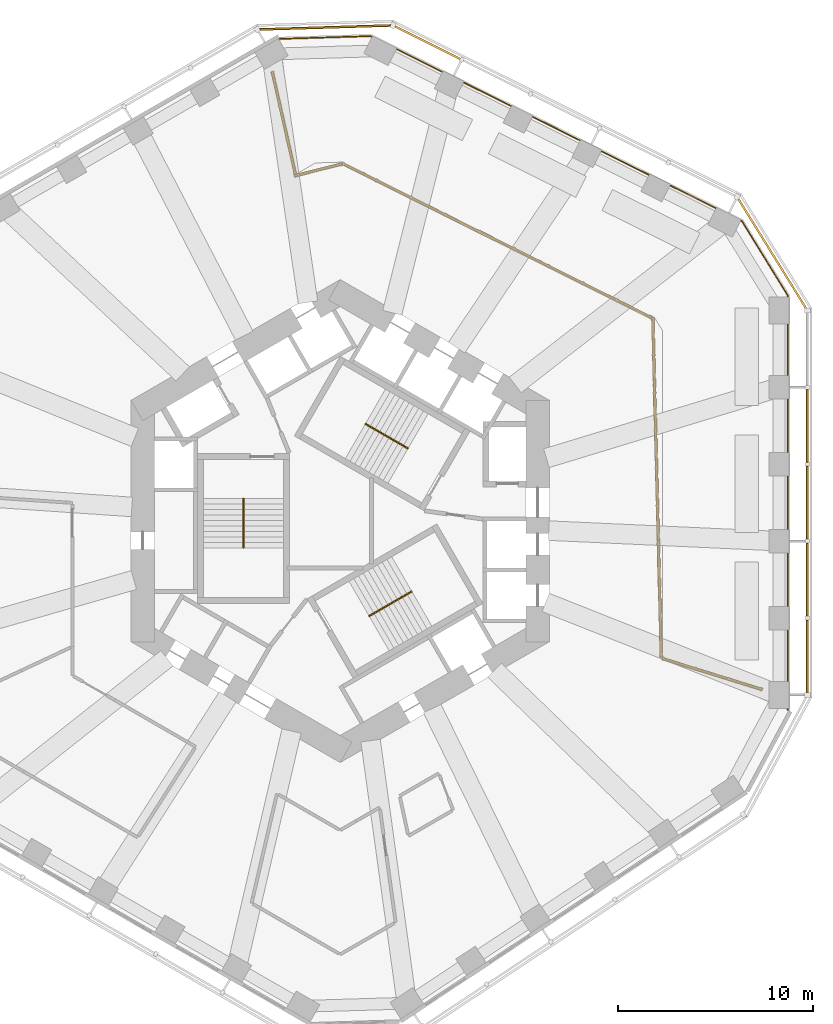
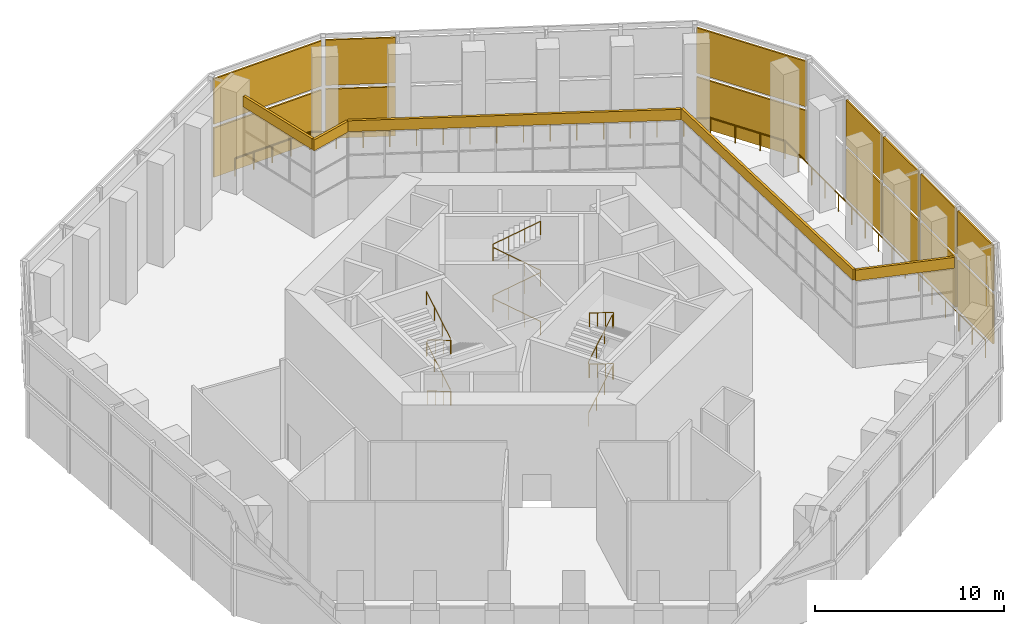
# One storey, part 15 of 17: 14 shading devices, 5 coverings, 4 railings.
"""IFC4 building model written with IfcOpenShell, lengths in metres."""

from ifc_helpers import new_model, si_unit, direction, frame, origin, origin_2d, place, context, subcontext, project, spatial, rectangle, circle, extrude, material, layer, layer_set, type_object, element, save


model = new_model("IFC4")

# Units and contexts
model_context = context("Model", 3, precision=1e-05, world=origin(), true_north=direction((0.0, 1.0)))
body_context = subcontext(model_context, "Body", "Model", "MODEL_VIEW")
ifc_project = project(units=[si_unit("LENGTHUNIT", "METRE"), si_unit("AREAUNIT", "SQUARE_METRE"), si_unit("VOLUMEUNIT", "CUBIC_METRE"), si_unit("PLANEANGLEUNIT", "RADIAN"), si_unit("MASSUNIT", "GRAM", prefix="KILO")], contexts=[model_context])

# Site, building, storey
site_placement = place(None, origin())
site = spatial("IfcSite", under=ifc_project, at=site_placement, CompositionType="ELEMENT")
building_placement = place(site_placement, origin())
building = spatial("IfcBuilding", under=site, at=building_placement, Name="Vanh Sen Convention Tower", CompositionType="ELEMENT")
storey_placement = place(building_placement, frame((0.0, 0.0, 77.0)))
storey = spatial("IfcBuildingStorey", under=building, at=storey_placement, Name="L17", CompositionType="ELEMENT", Elevation=77.0)

# Railings
ifc_material_1 = material(Name="Stainless steel posts with toughened glass infill", Category="steel")
railing_type_1 = type_object("IfcRailingType", Name="Garden guard 1150", PredefinedType="GUARDRAIL", material=ifc_material_1)
railing_1_placement = place(storey_placement, frame((22.89990234375, -9.656982421875, 0.0)))
element("IfcRailing", 1, at=railing_1_placement, inside=storey, type_object=railing_type_1, Name="Sky garden guard 1 L17", PredefinedType="GUARDRAIL", context=body_context, shape_type="SweptSolid", body=[
    extrude(circle(Radius=0.02392578125, at=origin_2d()), frame((0.0, 0.0, 1.1259765625), z_axis=(0.0, 1.0, 0.0), x_axis=(-1.0, 0.0, 0.0)), (0.0, 0.0, 1.0), 21.202392578125),
    extrude(circle(Radius=0.02392578125, at=origin_2d()), frame((0.0, 21.202392578125, 1.1259765625), z_axis=(-0.526194612966, 0.850364174507, 0.0), x_axis=(-0.850364174507, -0.526194612966, 0.0)), (0.0, 0.0, 1.0), 4.46533203125),
    extrude(circle(Radius=0.02392578125, at=origin_2d()), frame((-2.349609375, 24.99951171875, 1.1259765625), z_axis=(-0.894935157433, 0.446196216916, 0.0), x_axis=(-0.446196216916, -0.894935157433, 0.0)), (0.0, 0.0, 1.0), 21.219482421875),
    extrude(circle(Radius=0.02392578125, at=origin_2d()), frame((-21.339599609375, 34.467529296875, 1.1259765625), z_axis=(-0.999533121396, -0.030553874271, 0.0), x_axis=(0.030553874271, -0.999533121396, 0.0)), (0.0, 0.0, 1.0), 4.634521484375),
    extrude(circle(Radius=0.02392578125, at=origin_2d()), frame((-25.971923828125, 34.325927734375, 1.1259765625), z_axis=(-0.863778900898, -0.503871025524, 0.0), x_axis=(0.503871025524, -0.863778900898, 0.0)), (0.0, 0.0, 1.0), 0.016845703125),
    extrude(circle(Radius=0.02099609375, at=origin_2d()), origin(), (0.0, 0.0, 1.0), 1.101806640625),
    extrude(circle(Radius=0.02099609375, at=origin_2d()), frame((0.0, 1.41357421875, 0.0)), (0.0, 0.0, 1.0), 1.101806640625),
    extrude(circle(Radius=0.02099609375, at=origin_2d()), frame((0.0, 2.826904296875, 0.0)), (0.0, 0.0, 1.0), 1.101806640625),
    extrude(circle(Radius=0.02099609375, at=origin_2d()), frame((0.0, 4.240478515625, 0.0)), (0.0, 0.0, 1.0), 1.101806640625),
    extrude(circle(Radius=0.02099609375, at=origin_2d()), frame((0.0, 5.654052734375, 0.0)), (0.0, 0.0, 1.0), 1.101806640625),
    extrude(circle(Radius=0.02099609375, at=origin_2d()), frame((0.0, 7.0673828125, 0.0)), (0.0, 0.0, 1.0), 1.101806640625),
    extrude(circle(Radius=0.02099609375, at=origin_2d()), frame((0.0, 8.48095703125, 0.0)), (0.0, 0.0, 1.0), 1.101806640625),
    extrude(circle(Radius=0.02099609375, at=origin_2d()), frame((0.0, 9.89453125, 0.0)), (0.0, 0.0, 1.0), 1.101806640625),
    extrude(circle(Radius=0.02099609375, at=origin_2d()), frame((0.0, 11.307861328125, 0.0)), (0.0, 0.0, 1.0), 1.101806640625),
    extrude(circle(Radius=0.02099609375, at=origin_2d()), frame((0.0, 12.721435546875, 0.0)), (0.0, 0.0, 1.0), 1.101806640625),
    extrude(circle(Radius=0.02099609375, at=origin_2d()), frame((0.0, 14.135009765625, 0.0)), (0.0, 0.0, 1.0), 1.101806640625),
    extrude(circle(Radius=0.02099609375, at=origin_2d()), frame((0.0, 15.54833984375, 0.0)), (0.0, 0.0, 1.0), 1.101806640625),
    extrude(circle(Radius=0.02099609375, at=origin_2d()), frame((0.0, 16.9619140625, 0.0)), (0.0, 0.0, 1.0), 1.101806640625),
    extrude(circle(Radius=0.02099609375, at=origin_2d()), frame((0.0, 18.37548828125, 0.0)), (0.0, 0.0, 1.0), 1.101806640625),
    extrude(circle(Radius=0.02099609375, at=origin_2d()), frame((0.0, 19.788818359375, 0.0)), (0.0, 0.0, 1.0), 1.101806640625),
    extrude(circle(Radius=0.02099609375, at=origin_2d()), frame((0.0, 21.202392578125, 0.0)), (0.0, 0.0, 1.0), 1.101806640625),
    extrude(circle(Radius=0.02099609375, at=origin_2d()), frame((-0.783203125, 22.468017578125, 0.0)), (0.0, 0.0, 1.0), 1.101806640625),
    extrude(circle(Radius=0.02099609375, at=origin_2d()), frame((-1.56640625, 23.73388671875, 0.0)), (0.0, 0.0, 1.0), 1.101806640625),
    extrude(circle(Radius=0.02099609375, at=origin_2d()), frame((-2.349609375, 24.99951171875, 0.0)), (0.0, 0.0, 1.0), 1.101806640625),
    extrude(circle(Radius=0.02099609375, at=origin_2d()), frame((-3.61572265625, 25.630615234375, 0.0)), (0.0, 0.0, 1.0), 1.101806640625),
    extrude(circle(Radius=0.02099609375, at=origin_2d()), frame((-4.881591796875, 26.261962890625, 0.0)), (0.0, 0.0, 1.0), 1.101806640625),
    extrude(circle(Radius=0.02099609375, at=origin_2d()), frame((-6.147705078125, 26.89306640625, 0.0)), (0.0, 0.0, 1.0), 1.101806640625),
    extrude(circle(Radius=0.02099609375, at=origin_2d()), frame((-7.41357421875, 27.5244140625, 0.0)), (0.0, 0.0, 1.0), 1.101806640625),
    extrude(circle(Radius=0.02099609375, at=origin_2d()), frame((-8.6796875, 28.155517578125, 0.0)), (0.0, 0.0, 1.0), 1.101806640625),
    extrude(circle(Radius=0.02099609375, at=origin_2d()), frame((-9.945556640625, 28.78662109375, 0.0)), (0.0, 0.0, 1.0), 1.101806640625),
    extrude(circle(Radius=0.02099609375, at=origin_2d()), frame((-11.211669921875, 29.41796875, 0.0)), (0.0, 0.0, 1.0), 1.101806640625),
    extrude(circle(Radius=0.02099609375, at=origin_2d()), frame((-12.4775390625, 30.049072265625, 0.0)), (0.0, 0.0, 1.0), 1.101806640625),
    extrude(circle(Radius=0.02099609375, at=origin_2d()), frame((-13.74365234375, 30.680419921875, 0.0)), (0.0, 0.0, 1.0), 1.101806640625),
    extrude(circle(Radius=0.02099609375, at=origin_2d()), frame((-15.009521484375, 31.3115234375, 0.0)), (0.0, 0.0, 1.0), 1.101806640625),
    extrude(circle(Radius=0.02099609375, at=origin_2d()), frame((-16.275634765625, 31.942626953125, 0.0)), (0.0, 0.0, 1.0), 1.101806640625),
    extrude(circle(Radius=0.02099609375, at=origin_2d()), frame((-17.54150390625, 32.573974609375, 0.0)), (0.0, 0.0, 1.0), 1.101806640625),
    extrude(circle(Radius=0.02099609375, at=origin_2d()), frame((-18.8076171875, 33.205078125, 0.0)), (0.0, 0.0, 1.0), 1.101806640625),
    extrude(circle(Radius=0.02099609375, at=origin_2d()), frame((-20.073486328125, 33.83642578125, 0.0)), (0.0, 0.0, 1.0), 1.101806640625),
    extrude(circle(Radius=0.02099609375, at=origin_2d()), frame((-21.339599609375, 34.467529296875, 0.0)), (0.0, 0.0, 1.0), 1.101806640625),
    extrude(circle(Radius=0.02099609375, at=origin_2d()), frame((-22.49755859375, 34.43212890625, 0.0)), (0.0, 0.0, 1.0), 1.101806640625),
    extrude(circle(Radius=0.02099609375, at=origin_2d()), frame((-23.65576171875, 34.396728515625, 0.0)), (0.0, 0.0, 1.0), 1.101806640625),
    extrude(circle(Radius=0.02099609375, at=origin_2d()), frame((-24.81396484375, 34.361328125, 0.0)), (0.0, 0.0, 1.0), 1.101806640625),
    extrude(circle(Radius=0.02099609375, at=origin_2d()), frame((-25.971923828125, 34.325927734375, 0.0)), (0.0, 0.0, 1.0), 1.101806640625),
    extrude(circle(Radius=0.02099609375, at=origin_2d()), frame((-25.986572265625, 34.3173828125, 0.0)), (0.0, 0.0, 1.0), 1.101806640625),
])
ifc_material_2 = material(Name="Stainless steel handrail", Category="steel")
railing_type_2 = type_object("IfcRailingType", Name="Stair handrail 900", PredefinedType="HANDRAIL", material=ifc_material_2)
railing_2_placement = place(storey_placement, frame((3.45849609375, 3.690185546875, 0.1650390625)))
element("IfcRailing", 2, at=railing_2_placement, inside=storey, type_object=railing_type_2, Name="Stair handrail ST1 L17", PredefinedType="HANDRAIL", context=body_context, shape_type="SweptSolid", body=[
    extrude(circle(Radius=0.02392578125, at=origin_2d()), frame((0.0, 0.0, 0.8759765625), z_axis=(-0.746166161147, 0.430756550076, 0.507626688154), x_axis=(-0.499962843328, -0.866046855136, 0.0)), (0.0, 0.0, 1.0), 2.925048828125),
    extrude(circle(Radius=0.02392578125, at=origin_2d()), frame((-2.1826171875, 1.260009765625, 2.36083984375), z_axis=(0.502959906984, 0.86430974307, 0.0), x_axis=(-0.86430974307, 0.502959906984, 0.0)), (0.0, 0.0, 1.0), 0.050048828125),
    extrude(circle(Radius=0.02392578125, at=origin_2d()), frame((-2.157470703125, 1.30322265625, 2.36083984375), z_axis=(0.0, 0.0, 1.0), x_axis=(1.0, 0.0, 0.0)), (0.0, 0.0, 1.0), 0.1650390625),
    extrude(circle(Radius=0.02392578125, at=origin_2d()), frame((-2.157470703125, 1.30322265625, 2.52587890625), z_axis=(0.746097546679, -0.430765123438, 0.507720256902), x_axis=(0.500004791531, 0.866022637375, 0.0)), (0.0, 0.0, 1.0), 2.925048828125),
    extrude(circle(Radius=0.02392578125, at=origin_2d()), frame((0.02490234375, 0.043212890625, 4.0107421875), z_axis=(-0.499298623879, -0.866429964967, 0.0), x_axis=(0.866429964967, -0.499298623879, 0.0)), (0.0, 0.0, 1.0), 0.0498046875),
    extrude(circle(Radius=0.02392578125, at=origin_2d()), frame((0.0, 0.0, 4.0107421875), z_axis=(0.0, 0.0, 1.0), x_axis=(1.0, 0.0, 0.0)), (0.0, 0.0, 1.0), 0.1650390625),
    extrude(circle(Radius=0.02392578125, at=origin_2d()), frame((0.0, 0.0, 4.17578125), z_axis=(-0.746166161147, 0.430756550076, 0.507626688154), x_axis=(-0.499962843328, -0.866046855136, 0.0)), (0.0, 0.0, 1.0), 2.925048828125),
    extrude(circle(Radius=0.02392578125, at=origin_2d()), frame((-2.1826171875, 1.260009765625, 5.66064453125), z_axis=(0.502959906984, 0.86430974307, 0.0), x_axis=(-0.86430974307, 0.502959906984, 0.0)), (0.0, 0.0, 1.0), 0.050048828125),
    extrude(circle(Radius=0.02392578125, at=origin_2d()), frame((-2.157470703125, 1.30322265625, 5.66064453125), z_axis=(0.0, 0.0, 1.0), x_axis=(1.0, 0.0, 0.0)), (0.0, 0.0, 1.0), 0.1650390625),
    extrude(circle(Radius=0.02392578125, at=origin_2d()), frame((-2.157470703125, 1.30322265625, 5.82568359375), z_axis=(0.746097546679, -0.430765123438, 0.507720256902), x_axis=(0.500004791531, 0.866022637375, 0.0)), (0.0, 0.0, 1.0), 2.925048828125),
    extrude(circle(Radius=0.02099609375, at=origin_2d()), origin(), (0.0, 0.0, 1.0), 0.851806640625),
    extrude(circle(Radius=0.02099609375, at=origin_2d()), frame((-0.7275390625, 0.419921875, 0.494873046875)), (0.0, 0.0, 1.0), 0.851806640625),
    extrude(circle(Radius=0.02099609375, at=origin_2d()), frame((-1.455078125, 0.840087890625, 0.989990234375)), (0.0, 0.0, 1.0), 0.851806640625),
    extrude(circle(Radius=0.02099609375, at=origin_2d()), frame((-2.1826171875, 1.260009765625, 1.48486328125)), (0.0, 0.0, 1.0), 0.851806640625),
    extrude(circle(Radius=0.02099609375, at=origin_2d()), frame((-2.157470703125, 1.30322265625, 1.48486328125)), (0.0, 0.0, 1.0), 0.851806640625),
    extrude(circle(Radius=0.02099609375, at=origin_2d()), frame((-2.157470703125, 1.30322265625, 1.64990234375)), (0.0, 0.0, 1.0), 0.851806640625),
    extrude(circle(Radius=0.02099609375, at=origin_2d()), frame((-1.429931640625, 0.88330078125, 2.14501953125)), (0.0, 0.0, 1.0), 0.851806640625),
    extrude(circle(Radius=0.02099609375, at=origin_2d()), frame((-0.70263671875, 0.463134765625, 2.639892578125)), (0.0, 0.0, 1.0), 0.851806640625),
    extrude(circle(Radius=0.02099609375, at=origin_2d()), frame((0.02490234375, 0.043212890625, 3.135009765625)), (0.0, 0.0, 1.0), 0.851806640625),
    extrude(circle(Radius=0.02099609375, at=origin_2d()), frame((0.0, 0.0, 3.135009765625)), (0.0, 0.0, 1.0), 0.851806640625),
    extrude(circle(Radius=0.02099609375, at=origin_2d()), frame((0.0, 0.0, 3.300048828125)), (0.0, 0.0, 1.0), 0.851806640625),
    extrude(circle(Radius=0.02099609375, at=origin_2d()), frame((-0.7275390625, 0.419921875, 3.794921875)), (0.0, 0.0, 1.0), 0.851806640625),
    extrude(circle(Radius=0.02099609375, at=origin_2d()), frame((-1.455078125, 0.840087890625, 4.2900390625)), (0.0, 0.0, 1.0), 0.851806640625),
    extrude(circle(Radius=0.02099609375, at=origin_2d()), frame((-2.1826171875, 1.260009765625, 4.784912109375)), (0.0, 0.0, 1.0), 0.851806640625),
    extrude(circle(Radius=0.02099609375, at=origin_2d()), frame((-2.157470703125, 1.30322265625, 4.784912109375)), (0.0, 0.0, 1.0), 0.851806640625),
    extrude(circle(Radius=0.02099609375, at=origin_2d()), frame((-2.157470703125, 1.30322265625, 4.949951171875)), (0.0, 0.0, 1.0), 0.851806640625),
    extrude(circle(Radius=0.02099609375, at=origin_2d()), frame((-1.429931640625, 0.88330078125, 5.445068359375)), (0.0, 0.0, 1.0), 0.851806640625),
    extrude(circle(Radius=0.02099609375, at=origin_2d()), frame((-0.70263671875, 0.463134765625, 5.93994140625)), (0.0, 0.0, 1.0), 0.851806640625),
    extrude(circle(Radius=0.02099609375, at=origin_2d()), frame((0.02490234375, 0.043212890625, 6.43505859375)), (0.0, 0.0, 1.0), 0.851806640625),
])
railing_3_placement = place(storey_placement, frame((-4.925048828125, 1.14990234375, 0.1650390625)))
element("IfcRailing", 3, at=railing_3_placement, inside=storey, type_object=railing_type_2, Name="Stair handrail ST2 L17", PredefinedType="HANDRAIL", context=body_context, shape_type="SweptSolid", body=[
    extrude(circle(Radius=0.02392578125, at=origin_2d()), frame((0.0, 0.0, 0.8759765625), z_axis=(0.0, -0.861560626758, 0.507654692109), x_axis=(1.0, 0.0, 0.0)), (0.0, 0.0, 1.0), 2.925048828125),
    extrude(circle(Radius=0.02392578125, at=origin_2d()), frame((0.0, -2.52001953125, 2.36083984375), z_axis=(-1.0, 0.0, 0.0), x_axis=(0.0, -1.0, 0.0)), (0.0, 0.0, 1.0), 0.050048828125),
    extrude(circle(Radius=0.02392578125, at=origin_2d()), frame((-0.050048828125, -2.52001953125, 2.36083984375), z_axis=(0.0, 0.0, 1.0), x_axis=(1.0, 0.0, 0.0)), (0.0, 0.0, 1.0), 0.1650390625),
    extrude(circle(Radius=0.02392578125, at=origin_2d()), frame((-0.050048828125, -2.52001953125, 2.52587890625), z_axis=(0.0, 0.86152411907, 0.507716645641), x_axis=(-1.0, 0.0, 0.0)), (0.0, 0.0, 1.0), 2.925048828125),
    extrude(circle(Radius=0.02392578125, at=origin_2d()), frame((-0.050048828125, 0.0, 4.0107421875), z_axis=(1.0, 0.0, 0.0), x_axis=(0.0, 1.0, 0.0)), (0.0, 0.0, 1.0), 0.050048828125),
    extrude(circle(Radius=0.02392578125, at=origin_2d()), frame((0.0, 0.0, 4.0107421875), z_axis=(0.0, 0.0, 1.0), x_axis=(1.0, 0.0, 0.0)), (0.0, 0.0, 1.0), 0.1650390625),
    extrude(circle(Radius=0.02392578125, at=origin_2d()), frame((0.0, 0.0, 4.17578125), z_axis=(0.0, -0.861560626758, 0.507654692109), x_axis=(1.0, 0.0, 0.0)), (0.0, 0.0, 1.0), 2.925048828125),
    extrude(circle(Radius=0.02392578125, at=origin_2d()), frame((0.0, -2.52001953125, 5.66064453125), z_axis=(-1.0, 0.0, 0.0), x_axis=(0.0, -1.0, 0.0)), (0.0, 0.0, 1.0), 0.050048828125),
    extrude(circle(Radius=0.02392578125, at=origin_2d()), frame((-0.050048828125, -2.52001953125, 5.66064453125), z_axis=(0.0, 0.0, 1.0), x_axis=(1.0, 0.0, 0.0)), (0.0, 0.0, 1.0), 0.1650390625),
    extrude(circle(Radius=0.02392578125, at=origin_2d()), frame((-0.050048828125, -2.52001953125, 5.82568359375), z_axis=(0.0, 0.86152411907, 0.507716645641), x_axis=(-1.0, 0.0, 0.0)), (0.0, 0.0, 1.0), 2.925048828125),
    extrude(circle(Radius=0.02099609375, at=origin_2d()), origin(), (0.0, 0.0, 1.0), 0.851806640625),
    extrude(circle(Radius=0.02099609375, at=origin_2d()), frame((0.0, -0.840087890625, 0.494873046875)), (0.0, 0.0, 1.0), 0.851806640625),
    extrude(circle(Radius=0.02099609375, at=origin_2d()), frame((0.0, -1.679931640625, 0.989990234375)), (0.0, 0.0, 1.0), 0.851806640625),
    extrude(circle(Radius=0.02099609375, at=origin_2d()), frame((0.0, -2.52001953125, 1.48486328125)), (0.0, 0.0, 1.0), 0.851806640625),
    extrude(circle(Radius=0.02099609375, at=origin_2d()), frame((-0.050048828125, -2.52001953125, 1.48486328125)), (0.0, 0.0, 1.0), 0.851806640625),
    extrude(circle(Radius=0.02099609375, at=origin_2d()), frame((-0.050048828125, -2.52001953125, 1.64990234375)), (0.0, 0.0, 1.0), 0.851806640625),
    extrude(circle(Radius=0.02099609375, at=origin_2d()), frame((-0.050048828125, -1.679931640625, 2.14501953125)), (0.0, 0.0, 1.0), 0.851806640625),
    extrude(circle(Radius=0.02099609375, at=origin_2d()), frame((-0.050048828125, -0.840087890625, 2.639892578125)), (0.0, 0.0, 1.0), 0.851806640625),
    extrude(circle(Radius=0.02099609375, at=origin_2d()), frame((-0.050048828125, 0.0, 3.135009765625)), (0.0, 0.0, 1.0), 0.851806640625),
    extrude(circle(Radius=0.02099609375, at=origin_2d()), frame((0.0, 0.0, 3.135009765625)), (0.0, 0.0, 1.0), 0.851806640625),
    extrude(circle(Radius=0.02099609375, at=origin_2d()), frame((0.0, 0.0, 3.300048828125)), (0.0, 0.0, 1.0), 0.851806640625),
    extrude(circle(Radius=0.02099609375, at=origin_2d()), frame((0.0, -0.840087890625, 3.794921875)), (0.0, 0.0, 1.0), 0.851806640625),
    extrude(circle(Radius=0.02099609375, at=origin_2d()), frame((0.0, -1.679931640625, 4.2900390625)), (0.0, 0.0, 1.0), 0.851806640625),
    extrude(circle(Radius=0.02099609375, at=origin_2d()), frame((0.0, -2.52001953125, 4.784912109375)), (0.0, 0.0, 1.0), 0.851806640625),
    extrude(circle(Radius=0.02099609375, at=origin_2d()), frame((-0.050048828125, -2.52001953125, 4.784912109375)), (0.0, 0.0, 1.0), 0.851806640625),
    extrude(circle(Radius=0.02099609375, at=origin_2d()), frame((-0.050048828125, -2.52001953125, 4.949951171875)), (0.0, 0.0, 1.0), 0.851806640625),
    extrude(circle(Radius=0.02099609375, at=origin_2d()), frame((-0.050048828125, -1.679931640625, 5.445068359375)), (0.0, 0.0, 1.0), 0.851806640625),
    extrude(circle(Radius=0.02099609375, at=origin_2d()), frame((-0.050048828125, -0.840087890625, 5.93994140625)), (0.0, 0.0, 1.0), 0.851806640625),
    extrude(circle(Radius=0.02099609375, at=origin_2d()), frame((-0.050048828125, 0.0, 6.43505859375)), (0.0, 0.0, 1.0), 0.851806640625),
])
railing_4_placement = place(storey_placement, frame((1.466552734375, -4.840087890625, 0.1650390625)))
element("IfcRailing", 4, at=railing_4_placement, inside=storey, type_object=railing_type_2, Name="Stair handrail ST3 L17", PredefinedType="HANDRAIL", context=body_context, shape_type="SweptSolid", body=[
    extrude(circle(Radius=0.02392578125, at=origin_2d()), frame((0.0, 0.0, 0.8759765625), z_axis=(0.746129163535, 0.430783377672, 0.507658303235), x_axis=(-0.500004791531, 0.866022637375, 0.0)), (0.0, 0.0, 1.0), 2.9248046875),
    extrude(circle(Radius=0.02392578125, at=origin_2d()), frame((2.182373046875, 1.260009765625, 2.36083984375), z_axis=(0.500844580232, -0.86553723574, 0.0), x_axis=(0.86553723574, 0.500844580232, 0.0)), (0.0, 0.0, 1.0), 0.05029296875),
    extrude(circle(Radius=0.02392578125, at=origin_2d()), frame((2.20751953125, 1.216552734375, 2.36083984375), z_axis=(0.0, 0.0, 1.0), x_axis=(1.0, 0.0, 0.0)), (0.0, 0.0, 1.0), 0.1650390625),
    extrude(circle(Radius=0.02392578125, at=origin_2d()), frame((2.20751953125, 1.216552734375, 2.52587890625), z_axis=(-0.746097546679, -0.430765123438, 0.507720256902), x_axis=(0.500004791531, -0.866022637375, 0.0)), (0.0, 0.0, 1.0), 2.925048828125),
    extrude(circle(Radius=0.02392578125, at=origin_2d()), frame((0.025146484375, -0.04345703125, 4.0107421875), z_axis=(-0.500844580232, 0.86553723574, 0.0), x_axis=(-0.86553723574, -0.500844580232, 0.0)), (0.0, 0.0, 1.0), 0.05029296875),
    extrude(circle(Radius=0.02392578125, at=origin_2d()), frame((0.0, 0.0, 4.0107421875), z_axis=(0.0, 0.0, 1.0), x_axis=(1.0, 0.0, 0.0)), (0.0, 0.0, 1.0), 0.1650390625),
    extrude(circle(Radius=0.02392578125, at=origin_2d()), frame((0.0, 0.0, 4.17578125), z_axis=(0.746129163535, 0.430783377672, 0.507658303235), x_axis=(-0.500004791531, 0.866022637375, 0.0)), (0.0, 0.0, 1.0), 2.9248046875),
    extrude(circle(Radius=0.02392578125, at=origin_2d()), frame((2.182373046875, 1.260009765625, 5.66064453125), z_axis=(0.500844580232, -0.86553723574, 0.0), x_axis=(0.86553723574, 0.500844580232, 0.0)), (0.0, 0.0, 1.0), 0.05029296875),
    extrude(circle(Radius=0.02392578125, at=origin_2d()), frame((2.20751953125, 1.216552734375, 5.66064453125), z_axis=(0.0, 0.0, 1.0), x_axis=(1.0, 0.0, 0.0)), (0.0, 0.0, 1.0), 0.1650390625),
    extrude(circle(Radius=0.02392578125, at=origin_2d()), frame((2.20751953125, 1.216552734375, 5.82568359375), z_axis=(-0.746097546679, -0.430765123438, 0.507720256902), x_axis=(0.500004791531, -0.866022637375, 0.0)), (0.0, 0.0, 1.0), 2.925048828125),
    extrude(circle(Radius=0.02099609375, at=origin_2d()), origin(), (0.0, 0.0, 1.0), 0.851806640625),
    extrude(circle(Radius=0.02099609375, at=origin_2d()), frame((0.7275390625, 0.419921875, 0.494873046875)), (0.0, 0.0, 1.0), 0.851806640625),
    extrude(circle(Radius=0.02099609375, at=origin_2d()), frame((1.454833984375, 0.840087890625, 0.989990234375)), (0.0, 0.0, 1.0), 0.851806640625),
    extrude(circle(Radius=0.02099609375, at=origin_2d()), frame((2.182373046875, 1.260009765625, 1.48486328125)), (0.0, 0.0, 1.0), 0.851806640625),
    extrude(circle(Radius=0.02099609375, at=origin_2d()), frame((2.20751953125, 1.216552734375, 1.48486328125)), (0.0, 0.0, 1.0), 0.851806640625),
    extrude(circle(Radius=0.02099609375, at=origin_2d()), frame((2.20751953125, 1.216552734375, 1.64990234375)), (0.0, 0.0, 1.0), 0.851806640625),
    extrude(circle(Radius=0.02099609375, at=origin_2d()), frame((1.47998046875, 0.796630859375, 2.14501953125)), (0.0, 0.0, 1.0), 0.851806640625),
    extrude(circle(Radius=0.02099609375, at=origin_2d()), frame((0.752685546875, 0.37646484375, 2.639892578125)), (0.0, 0.0, 1.0), 0.851806640625),
    extrude(circle(Radius=0.02099609375, at=origin_2d()), frame((0.025146484375, -0.04345703125, 3.135009765625)), (0.0, 0.0, 1.0), 0.851806640625),
    extrude(circle(Radius=0.02099609375, at=origin_2d()), frame((0.0, 0.0, 3.135009765625)), (0.0, 0.0, 1.0), 0.851806640625),
    extrude(circle(Radius=0.02099609375, at=origin_2d()), frame((0.0, 0.0, 3.300048828125)), (0.0, 0.0, 1.0), 0.851806640625),
    extrude(circle(Radius=0.02099609375, at=origin_2d()), frame((0.7275390625, 0.419921875, 3.794921875)), (0.0, 0.0, 1.0), 0.851806640625),
    extrude(circle(Radius=0.02099609375, at=origin_2d()), frame((1.454833984375, 0.840087890625, 4.2900390625)), (0.0, 0.0, 1.0), 0.851806640625),
    extrude(circle(Radius=0.02099609375, at=origin_2d()), frame((2.182373046875, 1.260009765625, 4.784912109375)), (0.0, 0.0, 1.0), 0.851806640625),
    extrude(circle(Radius=0.02099609375, at=origin_2d()), frame((2.20751953125, 1.216552734375, 4.784912109375)), (0.0, 0.0, 1.0), 0.851806640625),
    extrude(circle(Radius=0.02099609375, at=origin_2d()), frame((2.20751953125, 1.216552734375, 4.949951171875)), (0.0, 0.0, 1.0), 0.851806640625),
    extrude(circle(Radius=0.02099609375, at=origin_2d()), frame((1.47998046875, 0.796630859375, 5.445068359375)), (0.0, 0.0, 1.0), 0.851806640625),
    extrude(circle(Radius=0.02099609375, at=origin_2d()), frame((0.752685546875, 0.37646484375, 5.93994140625)), (0.0, 0.0, 1.0), 0.851806640625),
    extrude(circle(Radius=0.02099609375, at=origin_2d()), frame((0.025146484375, -0.04345703125, 6.43505859375)), (0.0, 0.0, 1.0), 0.851806640625),
])

# Shading devices
ifc_material_3 = material(Name="Concrete C50/60", Category="concrete")
ifc_layer_1 = layer(ifc_material_3, 0.10009765625)
ifc_layer_set_1 = layer_set([ifc_layer_1], Name="Concrete C50/60")
shading_device_type = type_object("IfcShadingDeviceType", Name="Sun-screen louvre 100", PredefinedType="USERDEFINED", material=ifc_layer_set_1)
shading_device_1_placement = place(storey_placement, frame((23.89990234375, -6.91943359375, 0.0), z_axis=(0.0, 0.0, 1.0), x_axis=(0.0, 1.0, 0.0)))
element("IfcShadingDevice", 5, at=shading_device_1_placement, inside=storey, type_object=shading_device_type, Name="OUTER SKIN sun-screen louvre E-1", ObjectType="LOUVRE", PredefinedType="USERDEFINED", context=body_context, shape_type="SweptSolid", body=[
    extrude(rectangle(XDim=3.709716796875, YDim=0.10009765625, at=origin_2d()), origin(), (0.0, 0.0, 1.0), 3.175048828125),
])
shading_device_2_placement = place(storey_placement, frame((23.89990234375, -6.91943359375, 3.4248046875), z_axis=(0.0, 0.0, 1.0), x_axis=(0.0, 1.0, 0.0)))
element("IfcShadingDevice", 6, at=shading_device_2_placement, inside=storey, type_object=shading_device_type, Name="OUTER SKIN sun-screen louvre E-1", ObjectType="LOUVRE", PredefinedType="USERDEFINED", context=body_context, shape_type="SweptSolid", body=[
    extrude(rectangle(XDim=3.709716796875, YDim=0.10009765625, at=origin_2d()), origin(), (0.0, 0.0, 1.0), 2.925048828125),
])
shading_device_3_placement = place(storey_placement, frame((23.89990234375, -2.997314453125, 0.0), z_axis=(0.0, 0.0, 1.0), x_axis=(0.0, 1.0, 0.0)))
element("IfcShadingDevice", 7, at=shading_device_3_placement, inside=storey, type_object=shading_device_type, Name="OUTER SKIN sun-screen louvre E-2", ObjectType="LOUVRE", PredefinedType="USERDEFINED", context=body_context, shape_type="SweptSolid", body=[
    extrude(rectangle(XDim=3.734619140625, YDim=0.10009765625, at=origin_2d()), origin(), (0.0, 0.0, 1.0), 3.175048828125),
])
shading_device_4_placement = place(storey_placement, frame((23.89990234375, -2.997314453125, 3.4248046875), z_axis=(0.0, 0.0, 1.0), x_axis=(0.0, 1.0, 0.0)))
element("IfcShadingDevice", 8, at=shading_device_4_placement, inside=storey, type_object=shading_device_type, Name="OUTER SKIN sun-screen louvre E-2", ObjectType="LOUVRE", PredefinedType="USERDEFINED", context=body_context, shape_type="SweptSolid", body=[
    extrude(rectangle(XDim=3.734619140625, YDim=0.10009765625, at=origin_2d()), origin(), (0.0, 0.0, 1.0), 2.925048828125),
])
shading_device_5_placement = place(storey_placement, frame((23.89990234375, 0.937255859375, 0.0), z_axis=(0.0, 0.0, 1.0), x_axis=(0.0, 1.0, 0.0)))
element("IfcShadingDevice", 9, at=shading_device_5_placement, inside=storey, type_object=shading_device_type, Name="OUTER SKIN sun-screen louvre E-3", ObjectType="LOUVRE", PredefinedType="USERDEFINED", context=body_context, shape_type="SweptSolid", body=[
    extrude(rectangle(XDim=3.734619140625, YDim=0.10009765625, at=origin_2d()), origin(), (0.0, 0.0, 1.0), 3.175048828125),
])
shading_device_6_placement = place(storey_placement, frame((23.89990234375, 0.937255859375, 3.4248046875), z_axis=(0.0, 0.0, 1.0), x_axis=(0.0, 1.0, 0.0)))
element("IfcShadingDevice", 10, at=shading_device_6_placement, inside=storey, type_object=shading_device_type, Name="OUTER SKIN sun-screen louvre E-3", ObjectType="LOUVRE", PredefinedType="USERDEFINED", context=body_context, shape_type="SweptSolid", body=[
    extrude(rectangle(XDim=3.734619140625, YDim=0.10009765625, at=origin_2d()), origin(), (0.0, 0.0, 1.0), 2.925048828125),
])
shading_device_7_placement = place(storey_placement, frame((23.89990234375, 4.871826171875, 0.0), z_axis=(0.0, 0.0, 1.0), x_axis=(0.0, 1.0, 0.0)))
element("IfcShadingDevice", 11, at=shading_device_7_placement, inside=storey, type_object=shading_device_type, Name="OUTER SKIN sun-screen louvre E-4", ObjectType="LOUVRE", PredefinedType="USERDEFINED", context=body_context, shape_type="SweptSolid", body=[
    extrude(rectangle(XDim=3.734619140625, YDim=0.10009765625, at=origin_2d()), origin(), (0.0, 0.0, 1.0), 3.175048828125),
])
shading_device_8_placement = place(storey_placement, frame((23.89990234375, 4.871826171875, 3.4248046875), z_axis=(0.0, 0.0, 1.0), x_axis=(0.0, 1.0, 0.0)))
element("IfcShadingDevice", 12, at=shading_device_8_placement, inside=storey, type_object=shading_device_type, Name="OUTER SKIN sun-screen louvre E-4", ObjectType="LOUVRE", PredefinedType="USERDEFINED", context=body_context, shape_type="SweptSolid", body=[
    extrude(rectangle(XDim=3.734619140625, YDim=0.10009765625, at=origin_2d()), origin(), (0.0, 0.0, 1.0), 2.925048828125),
])
shading_device_9_placement = place(storey_placement, frame((22.102783203125, 13.677734375, 0.0), z_axis=(0.0, 0.0, 1.0), x_axis=(-0.526212439506, 0.850353143411, 0.0)))
element("IfcShadingDevice", 13, at=shading_device_9_placement, inside=storey, type_object=shading_device_type, Name="OUTER SKIN sun-screen louvre CH1-1", ObjectType="LOUVRE", PredefinedType="USERDEFINED", context=body_context, shape_type="SweptSolid", body=[
    extrude(rectangle(XDim=6.580078125, YDim=0.10009765625, at=origin_2d()), origin(), (0.0, 0.0, 1.0), 3.175048828125),
])
shading_device_10_placement = place(storey_placement, frame((22.102783203125, 13.677734375, 3.4248046875), z_axis=(0.0, 0.0, 1.0), x_axis=(-0.526212439506, 0.850353143411, 0.0)))
element("IfcShadingDevice", 14, at=shading_device_10_placement, inside=storey, type_object=shading_device_type, Name="OUTER SKIN sun-screen louvre CH1-1", ObjectType="LOUVRE", PredefinedType="USERDEFINED", context=body_context, shape_type="SweptSolid", body=[
    extrude(rectangle(XDim=6.580078125, YDim=0.10009765625, at=origin_2d()), origin(), (0.0, 0.0, 1.0), 2.925048828125),
])
shading_device_11_placement = place(storey_placement, frame((4.4716796875, 24.476318359375, 0.0), z_axis=(0.0, 0.0, 1.0), x_axis=(-0.894935140363, 0.446196251154, 0.0)))
element("IfcShadingDevice", 15, at=shading_device_11_placement, inside=storey, type_object=shading_device_type, Name="OUTER SKIN sun-screen louvre NE-5", ObjectType="LOUVRE", PredefinedType="USERDEFINED", context=body_context, shape_type="SweptSolid", body=[
    extrude(rectangle(XDim=3.709716796875, YDim=0.10009765625, at=origin_2d()), origin(), (0.0, 0.0, 1.0), 3.175048828125),
])
shading_device_12_placement = place(storey_placement, frame((4.4716796875, 24.476318359375, 3.4248046875), z_axis=(0.0, 0.0, 1.0), x_axis=(-0.894935140363, 0.446196251154, 0.0)))
element("IfcShadingDevice", 16, at=shading_device_12_placement, inside=storey, type_object=shading_device_type, Name="OUTER SKIN sun-screen louvre NE-5", ObjectType="LOUVRE", PredefinedType="USERDEFINED", context=body_context, shape_type="SweptSolid", body=[
    extrude(rectangle(XDim=3.709716796875, YDim=0.10009765625, at=origin_2d()), origin(), (0.0, 0.0, 1.0), 2.925048828125),
])
shading_device_13_placement = place(storey_placement, frame((-0.771484375, 25.253662109375, 0.0), z_axis=(0.0, 0.0, 1.0), x_axis=(-0.999533644135, -0.030536768695, 0.0)))
element("IfcShadingDevice", 17, at=shading_device_13_placement, inside=storey, type_object=shading_device_type, Name="OUTER SKIN sun-screen louvre CH2-1", ObjectType="LOUVRE", PredefinedType="USERDEFINED", context=body_context, shape_type="SweptSolid", body=[
    extrude(rectangle(XDim=6.696044921875, YDim=0.10009765625, at=origin_2d()), origin(), (0.0, 0.0, 1.0), 3.175048828125),
])
shading_device_14_placement = place(storey_placement, frame((-0.771484375, 25.253662109375, 3.4248046875), z_axis=(0.0, 0.0, 1.0), x_axis=(-0.999533644135, -0.030536768695, 0.0)))
element("IfcShadingDevice", 18, at=shading_device_14_placement, inside=storey, type_object=shading_device_type, Name="OUTER SKIN sun-screen louvre CH2-1", ObjectType="LOUVRE", PredefinedType="USERDEFINED", context=body_context, shape_type="SweptSolid", body=[
    extrude(rectangle(XDim=6.696044921875, YDim=0.10009765625, at=origin_2d()), origin(), (0.0, 0.0, 1.0), 2.925048828125),
])

# Coverings
ifc_material_4 = material(Name="Insulated aluminium composite panel", Category="aluminium")
ifc_layer_2 = layer(ifc_material_4, 0.14990234375)
ifc_layer_set_2 = layer_set([ifc_layer_2], Name="Insulated aluminium composite panel")
covering_type = type_object("IfcCoveringType", Name="Winter garden head cladding 150", PredefinedType="CLADDING", material=ifc_layer_set_2)
covering_1_placement = place(storey_placement, frame((-2.8896484375, 20.37451171875, 5.64990234375), z_axis=(0.0, 0.0, 1.0), x_axis=(0.22045740496, -0.97539660272, 0.0)))
element("IfcCovering", 19, at=covering_1_placement, inside=storey, type_object=covering_type, Name="Winter garden head cladding 1 L17", PredefinedType="CLADDING", context=body_context, shape_type="SweptSolid", body=[
    extrude(rectangle(XDim=5.3623046875, YDim=0.14990234375, at=origin_2d()), origin(), (0.0, 0.0, 1.0), 0.699951171875),
])
covering_2_placement = place(storey_placement, frame((-1.139404296875, 17.9638671875, 5.64990234375), z_axis=(0.0, 0.0, 1.0), x_axis=(0.969812885556, 0.243850296309, 0.0)))
element("IfcCovering", 20, at=covering_2_placement, inside=storey, type_object=covering_type, Name="Winter garden head cladding 2 L17", PredefinedType="CLADDING", context=body_context, shape_type="SweptSolid", body=[
    extrude(rectangle(XDim=2.498779296875, YDim=0.14990234375, at=origin_2d()), origin(), (0.0, 0.0, 1.0), 0.699951171875),
])
covering_3_placement = place(storey_placement, frame((8.01416015625, 14.357666015625, 5.64990234375), z_axis=(0.0, 0.0, 1.0), x_axis=(0.894931246532, -0.446204060919, 0.0)))
element("IfcCovering", 21, at=covering_3_placement, inside=storey, type_object=covering_type, Name="Winter garden head cladding 3 L17", PredefinedType="CLADDING", context=body_context, shape_type="SweptSolid", body=[
    extrude(rectangle(XDim=17.65869140625, YDim=0.14990234375, at=origin_2d()), origin(), (0.0, 0.0, 1.0), 0.699951171875),
])
covering_4_placement = place(storey_placement, frame((16.2080078125, 1.72998046875, 5.64990234375), z_axis=(0.0, 0.0, 1.0), x_axis=(0.024973065109, -0.999688124376, 0.0)))
element("IfcCovering", 22, at=covering_4_placement, inside=storey, type_object=covering_type, Name="Winter garden head cladding 4 L17", PredefinedType="CLADDING", context=body_context, shape_type="SweptSolid", body=[
    extrude(rectangle(XDim=17.3955078125, YDim=0.14990234375, at=origin_2d()), origin(), (0.0, 0.0, 1.0), 0.699951171875),
])
covering_5_placement = place(storey_placement, frame((19.03125, -7.822998046875, 5.64990234375), z_axis=(0.0, 0.0, 1.0), x_axis=(0.954949011069, -0.296769921418, 0.0)))
element("IfcCovering", 23, at=covering_5_placement, inside=storey, type_object=covering_type, Name="Winter garden head cladding 5 L17", PredefinedType="CLADDING", context=body_context, shape_type="SweptSolid", body=[
    extrude(rectangle(XDim=5.3623046875, YDim=0.14990234375, at=origin_2d()), origin(), (0.0, 0.0, 1.0), 0.699951171875),
])

save(model, "model.ifc")
